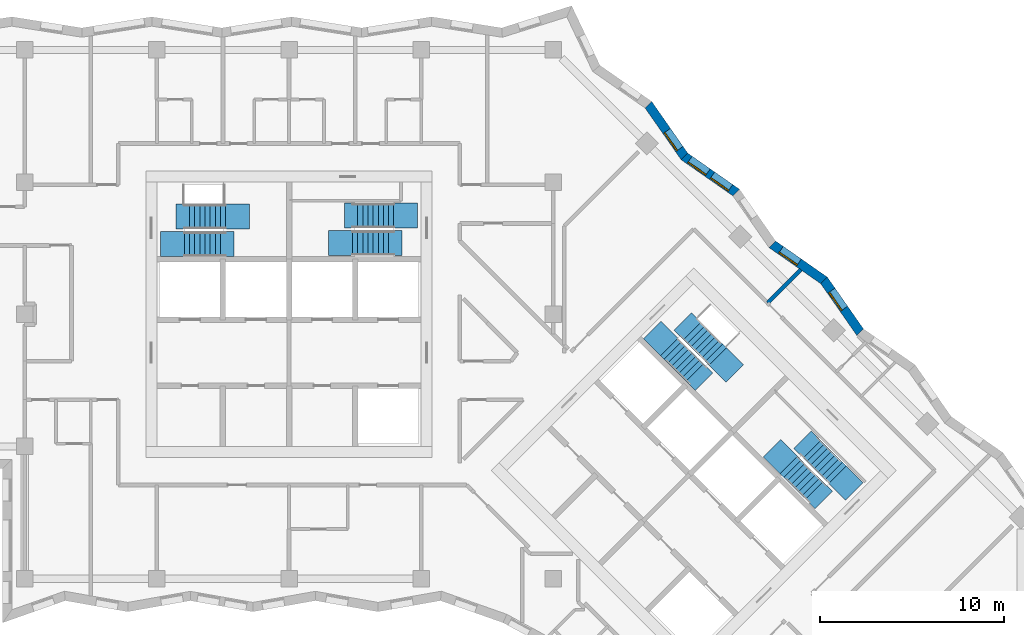
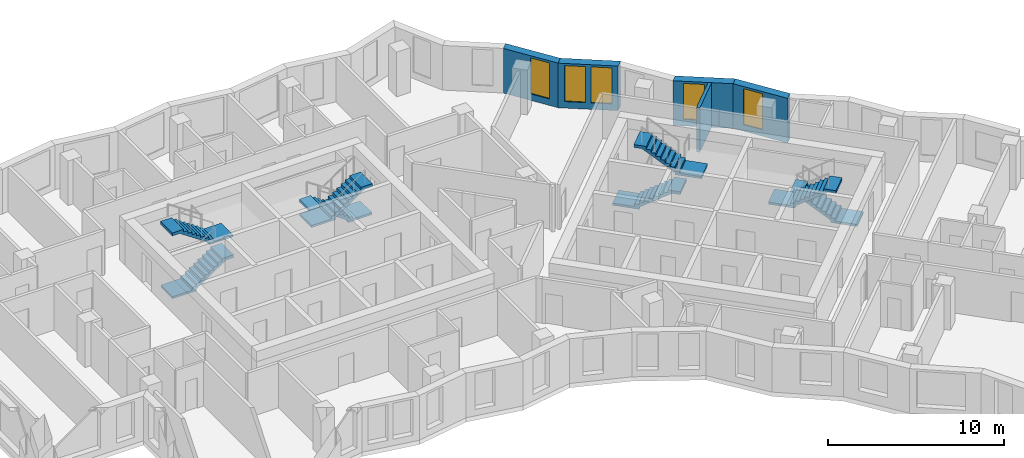
# One storey, part 10 of 12: 8 stair flights, 5 walls, 5 windows, 5 openings, 4 elements without a shape of their own.
"""IFC4 building model written with IfcOpenShell, lengths in metres."""

from ifc_helpers import new_model, si_unit, direction, frame, frame_2d, origin, place, context, subcontext, project, spatial, polyline, rectangle, outline, extrude, material, layer, layer_set, type_object, element, fill, aggregate, save


model = new_model("IFC4")

# Units and contexts
model_context = context("Model", 3, precision=1e-05, world=origin(), true_north=direction((0.0, 1.0)))
body_context = subcontext(model_context, "Body", "Model", "MODEL_VIEW")
ifc_project = project(units=[si_unit("LENGTHUNIT", "METRE"), si_unit("AREAUNIT", "SQUARE_METRE"), si_unit("VOLUMEUNIT", "CUBIC_METRE"), si_unit("PLANEANGLEUNIT", "RADIAN"), si_unit("MASSUNIT", "GRAM", prefix="KILO")], contexts=[model_context])

# Site, building, storey
site_placement = place(None, origin())
site = spatial("IfcSite", under=ifc_project, at=site_placement, CompositionType="ELEMENT")
building_placement = place(site_placement, origin())
building = spatial("IfcBuilding", under=site, at=building_placement, Name="Windrow Commons", CompositionType="ELEMENT")
storey_placement = place(building_placement, frame((0.0, 0.0, 169.4)))
storey = spatial("IfcBuildingStorey", under=building, at=storey_placement, Name="L46", CompositionType="ELEMENT", Elevation=169.4)

# Wall, opening, window
ifc_material_1 = material(Name="Brick masonry, red clay brick", Category="masonry")
ifc_layer_1 = layer(ifc_material_1, 0.5)
ifc_layer_set_1 = layer_set([ifc_layer_1], Name="Brick facade wall 500")
wall_type_1 = type_object("IfcWallType", Name="Brick facade wall 500", PredefinedType="SOLIDWALL", material=ifc_layer_set_1)
wall_1_placement = place(storey_placement, frame((95.9099, 56.6281, 0.0), z_axis=(0.0, 0.0, 1.0), x_axis=(-0.5720591366, 0.8202123775, 0.0)))
wall_1 = element("IfcWall", 1, at=wall_1_placement, inside=storey, type_object=wall_type_1, Name="Brick facade wall L46 12", PredefinedType="SOLIDWALL", context=body_context, shape_type="SweptSolid", body=[
    extrude(outline(polyline([(0.0446, -0.25), (3.4808, -0.25), (3.3917, 0.25), (-0.0446, 0.25), (0.0446, -0.25)])), origin(), (0.0, 0.0, 1.0), 3.1),
])
opening_1_placement = place(wall_1_placement, frame((1.5471, 0.0, 0.45)))
opening_1 = element("IfcOpeningElement", 2, at=opening_1_placement, cuts=wall_1, Name="Opening W7E", PredefinedType="OPENING", context=body_context, shape_type="SweptSolid", body=[
    extrude(rectangle(XDim=1.2, YDim=2.5, at=frame_2d((0.6, 1.25))), frame((0.0, 0.26, 0.0), z_axis=(0.0, -1.0, 0.0), x_axis=(1.0, 0.0, 0.0)), (0.0, 0.0, 1.0), 0.52),
])
ifc_material_2 = material(Name="Clear float glass in anodised aluminium frame", Category="aluminium")
window_type = type_object("IfcWindowType", Name="Window W7 notch 1200x2500", PartitioningType="SINGLE_PANEL", PredefinedType="WINDOW", material=ifc_material_2)
window_1_placement = place(opening_1_placement, origin())
window_1 = element("IfcWindow", 3, at=window_1_placement, inside=storey, type_object=window_type, Name="Window L46 12.1", OverallHeight=2.5, OverallWidth=1.2, PartitioningType="SINGLE_PANEL", PredefinedType="WINDOW", context=body_context, shape_type="SweptSolid", body=[
    extrude(rectangle(XDim=1.2, YDim=2.5, at=frame_2d((0.6, 1.25))), frame((0.0, 0.18, 0.0), z_axis=(0.0, -1.0, 0.0), x_axis=(1.0, 0.0, 0.0)), (0.0, 0.0, 1.0), 0.06),
])
fill(opening_1, window_1)

wall_2_placement = place(storey_placement, frame((93.9442, 59.4465, 0.0), z_axis=(0.0, 0.0, 1.0), x_axis=(-0.8202082464, 0.5720650597, 0.0)))
wall_2 = element("IfcWall", 4, at=wall_2_placement, inside=storey, type_object=wall_type_1, Name="Brick facade wall L46 13", PredefinedType="SOLIDWALL", context=body_context, shape_type="SweptSolid", body=[
    extrude(outline(polyline([(-0.0446, -0.25), (3.3917, -0.25), (3.4808, 0.25), (0.0446, 0.25), (-0.0446, -0.25)])), origin(), (0.0, 0.0, 1.0), 3.1),
])
opening_2_placement = place(wall_2_placement, frame((1.6796, 0.0, 0.45)))
opening_2 = element("IfcOpeningElement", 5, at=opening_2_placement, cuts=wall_2, Name="Opening W7E", PredefinedType="OPENING", context=body_context, shape_type="SweptSolid", body=[
    extrude(rectangle(XDim=1.2, YDim=2.5, at=frame_2d((0.6, 1.25))), frame((0.0, 0.26, 0.0), z_axis=(0.0, -1.0, 0.0), x_axis=(1.0, 0.0, 0.0)), (0.0, 0.0, 1.0), 0.52),
])
window_2_placement = place(opening_2_placement, origin())
window_2 = element("IfcWindow", 6, at=window_2_placement, inside=storey, type_object=window_type, Name="Window L46 13.1", OverallHeight=2.5, OverallWidth=1.2, PartitioningType="SINGLE_PANEL", PredefinedType="WINDOW", context=body_context, shape_type="SweptSolid", body=[
    extrude(rectangle(XDim=1.2, YDim=2.5, at=frame_2d((0.6, 1.25))), frame((0.0, 0.18, 0.0), z_axis=(0.0, -1.0, 0.0), x_axis=(1.0, 0.0, 0.0)), (0.0, 0.0, 1.0), 0.06),
])
fill(opening_2, window_2)

# Wall, openings, windows
wall_3_placement = place(storey_placement, frame((89.16, 64.2308, 0.0), z_axis=(0.0, 0.0, 1.0), x_axis=(-0.8202219009, 0.5720454818, 0.0)))
wall_3 = element("IfcWall", 7, at=wall_3_placement, inside=storey, type_object=wall_type_1, Name="Brick facade wall L46 15", PredefinedType="SOLIDWALL", context=body_context, shape_type="SweptSolid", body=[
    extrude(outline(polyline([(-0.0446, -0.25), (3.3917, -0.25), (3.4808, 0.25), (0.0446, 0.25), (-0.0446, -0.25)])), origin(), (0.0, 0.0, 1.0), 3.1),
])
opening_3_placement = place(wall_3_placement, frame((0.4042, 0.0, 0.45)))
opening_3 = element("IfcOpeningElement", 8, at=opening_3_placement, cuts=wall_3, Name="Opening W7E", PredefinedType="OPENING", context=body_context, shape_type="SweptSolid", body=[
    extrude(rectangle(XDim=1.2, YDim=2.5, at=frame_2d((0.6, 1.25))), frame((0.0, 0.26, 0.0), z_axis=(0.0, -1.0, 0.0), x_axis=(1.0, 0.0, 0.0)), (0.0, 0.0, 1.0), 0.52),
])
opening_4_placement = place(wall_3_placement, frame((1.9001, 0.0, 0.45)))
opening_4 = element("IfcOpeningElement", 9, at=opening_4_placement, cuts=wall_3, Name="Opening W7E", PredefinedType="OPENING", context=body_context, shape_type="SweptSolid", body=[
    extrude(rectangle(XDim=1.2, YDim=2.5, at=frame_2d((0.6, 1.25))), frame((0.0, 0.26, 0.0), z_axis=(0.0, -1.0, 0.0), x_axis=(1.0, 0.0, 0.0)), (0.0, 0.0, 1.0), 0.52),
])
window_3_placement = place(opening_3_placement, origin())
window_3 = element("IfcWindow", 10, at=window_3_placement, inside=storey, type_object=window_type, Name="Window L46 15.1", OverallHeight=2.5, OverallWidth=1.2, PartitioningType="SINGLE_PANEL", PredefinedType="WINDOW", context=body_context, shape_type="SweptSolid", body=[
    extrude(rectangle(XDim=1.2, YDim=2.5, at=frame_2d((0.6, 1.25))), frame((0.0, 0.18, 0.0), z_axis=(0.0, -1.0, 0.0), x_axis=(1.0, 0.0, 0.0)), (0.0, 0.0, 1.0), 0.06),
])
fill(opening_3, window_3)
window_4_placement = place(opening_4_placement, origin())
window_4 = element("IfcWindow", 11, at=window_4_placement, inside=storey, type_object=window_type, Name="Window L46 15.2", OverallHeight=2.5, OverallWidth=1.2, PartitioningType="SINGLE_PANEL", PredefinedType="WINDOW", context=body_context, shape_type="SweptSolid", body=[
    extrude(rectangle(XDim=1.2, YDim=2.5, at=frame_2d((0.6, 1.25))), frame((0.0, 0.18, 0.0), z_axis=(0.0, -1.0, 0.0), x_axis=(1.0, 0.0, 0.0)), (0.0, 0.0, 1.0), 0.06),
])
fill(opening_4, window_4)

# Wall, opening, window
wall_4_placement = place(storey_placement, frame((86.3415, 66.1965, 0.0), z_axis=(0.0, 0.0, 1.0), x_axis=(-0.5720454818, 0.8202219009, 0.0)))
wall_4 = element("IfcWall", 12, at=wall_4_placement, inside=storey, type_object=wall_type_1, Name="Brick facade wall L46 16", PredefinedType="SOLIDWALL", context=body_context, shape_type="SweptSolid", body=[
    extrude(outline(polyline([(0.0446, -0.25), (3.4808, -0.25), (3.3917, 0.25), (-0.0446, 0.25), (0.0446, -0.25)])), origin(), (0.0, 0.0, 1.0), 3.1),
])
opening_5_placement = place(wall_4_placement, frame((0.4922, 0.0, 0.45)))
opening_5 = element("IfcOpeningElement", 13, at=opening_5_placement, cuts=wall_4, Name="Opening W7E", PredefinedType="OPENING", context=body_context, shape_type="SweptSolid", body=[
    extrude(rectangle(XDim=1.2, YDim=2.5, at=frame_2d((0.6, 1.25))), frame((0.0, 0.26, 0.0), z_axis=(0.0, -1.0, 0.0), x_axis=(1.0, 0.0, 0.0)), (0.0, 0.0, 1.0), 0.52),
])
window_5_placement = place(opening_5_placement, origin())
window_5 = element("IfcWindow", 14, at=window_5_placement, inside=storey, type_object=window_type, Name="Window L46 16.1", OverallHeight=2.5, OverallWidth=1.2, PartitioningType="SINGLE_PANEL", PredefinedType="WINDOW", context=body_context, shape_type="SweptSolid", body=[
    extrude(rectangle(XDim=1.2, YDim=2.5, at=frame_2d((0.6, 1.25))), frame((0.0, 0.18, 0.0), z_axis=(0.0, -1.0, 0.0), x_axis=(1.0, 0.0, 0.0)), (0.0, 0.0, 1.0), 0.06),
])
fill(opening_5, window_5)

# Wall
ifc_material_3 = material(Name="Blockwork partition", Category="masonry")
ifc_layer_2 = layer(ifc_material_3, 0.2)
ifc_layer_set_2 = layer_set([ifc_layer_2], Name="IW-PARTY-200")
wall_type_2 = type_object("IfcWallType", Name="IW-PARTY-200", PredefinedType="PARTITIONING", material=ifc_layer_set_2)
wall_5_placement = place(storey_placement, frame((90.8669, 58.2131, 0.0), z_axis=(0.0, 0.0, 1.0), x_axis=(0.7066186165, 0.7075946091, 0.0)))
element("IfcWall", 15, at=wall_5_placement, inside=storey, type_object=wall_type_2, Name="W-L46-W067", PredefinedType="PARTITIONING", context=body_context, shape_type="SweptSolid", body=[
    extrude(rectangle(XDim=2.5615, YDim=0.2, at=frame_2d((1.2808, 0.0))), origin(), (0.0, 0.0, 1.0), 3.1),
])

# Stair, stair flights
ifc_material_4 = material(Name="Concrete C40/50", Category="concrete")
stair_type = type_object("IfcStairType", Name="Core stair", PredefinedType="HALF_TURN_STAIR", material=ifc_material_4)
placement = place(storey_placement, origin())
stair_1 = element("IfcStair", 16, at=placement, inside=storey, type_object=stair_type, Name="L46 Exit stair A1 core A", PredefinedType="HALF_TURN_STAIR")
ifc_material_5 = material(Name="Concrete C40/50", Category="concrete")
stair_flight_type = type_object("IfcStairFlightType", Name="Core stair flight", PredefinedType="STRAIGHT", material=ifc_material_5)
stair_flight_1_placement = place(storey_placement, frame((59.1, 61.425, 0.0), z_axis=(0.0, 0.0, 1.0), x_axis=(1.0, 0.0, 0.0)))
stair_flight_1 = element("IfcStairFlight", 17, at=stair_flight_1_placement, type_object=stair_flight_type, Name="ST-A1 flight 1", NumberOfRisers=9, NumberOfTreads=8, PredefinedType="STRAIGHT", RiserHeight=0.188888889, TreadLength=0.28, context=body_context, shape_type="SweptSolid", body=[
    extrude(outline(polyline([(-1.3, -0.15), (-1.3, 0.0), (0.0, 0.0), (0.0, 0.1889), (0.28, 0.1889), (0.28, 0.3778), (0.56, 0.3778), (0.56, 0.5667), (0.84, 0.5667), (0.84, 0.7556), (1.12, 0.7556), (1.12, 0.9444), (1.4, 0.9444), (1.4, 1.1333), (1.68, 1.1333), (1.68, 1.3222), (1.96, 1.3222), (1.96, 1.5111), (2.24, 1.5111), (2.69, 1.5111), (2.69, 1.3111), (2.24, 1.3111), (2.24, 1.3302), (0.2682, 0.0), (0.2682, -0.15), (-1.3, -0.15)])), frame((0.0, 0.675, 0.0), z_axis=(0.0, -1.0, 0.0), x_axis=(1.0, 0.0, 0.0)), (0.0, 0.0, 1.0), 1.35),
])
stair_flight_2_placement = place(storey_placement, frame((61.34, 62.925, 1.7), z_axis=(0.0, 0.0, 1.0), x_axis=(-1.0, 0.0, 0.0)))
stair_flight_2 = element("IfcStairFlight", 18, at=stair_flight_2_placement, type_object=stair_flight_type, Name="ST-A1 flight 2", NumberOfRisers=9, NumberOfTreads=8, PredefinedType="STRAIGHT", RiserHeight=0.188888889, TreadLength=0.28, context=body_context, shape_type="SweptSolid", body=[
    extrude(outline(polyline([(-1.3, -0.15), (-1.3, 0.0), (0.0, 0.0), (0.0, 0.1889), (0.28, 0.1889), (0.28, 0.3778), (0.56, 0.3778), (0.56, 0.5667), (0.84, 0.5667), (0.84, 0.7556), (1.12, 0.7556), (1.12, 0.9444), (1.4, 0.9444), (1.4, 1.1333), (1.68, 1.1333), (1.68, 1.3222), (1.96, 1.3222), (1.96, 1.5111), (2.24, 1.5111), (2.69, 1.5111), (2.69, 1.3111), (2.24, 1.3111), (2.24, 1.3302), (0.2682, 0.0), (0.2682, -0.15), (-1.3, -0.15)])), frame((0.0, 0.675, 0.0), z_axis=(0.0, -1.0, 0.0), x_axis=(1.0, 0.0, 0.0)), (0.0, 0.0, 1.0), 1.35),
])
aggregate(stair_1, [stair_flight_1, stair_flight_2])

stair_2 = element("IfcStair", 19, at=placement, inside=storey, type_object=stair_type, Name="L46 Exit stair A2 core A", PredefinedType="HALF_TURN_STAIR")
stair_flight_3_placement = place(storey_placement, frame((70.5, 62.98, 0.0), z_axis=(0.0, 0.0, 1.0), x_axis=(-1.0, 0.0, 0.0)))
stair_flight_3 = element("IfcStairFlight", 20, at=stair_flight_3_placement, type_object=stair_flight_type, Name="ST-A2 flight 1", NumberOfRisers=9, NumberOfTreads=8, PredefinedType="STRAIGHT", RiserHeight=0.188888889, TreadLength=0.28, context=body_context, shape_type="SweptSolid", body=[
    extrude(outline(polyline([(-1.3, -0.15), (-1.3, 0.0), (0.0, 0.0), (0.0, 0.1889), (0.28, 0.1889), (0.28, 0.3778), (0.56, 0.3778), (0.56, 0.5667), (0.84, 0.5667), (0.84, 0.7556), (1.12, 0.7556), (1.12, 0.9444), (1.4, 0.9444), (1.4, 1.1333), (1.68, 1.1333), (1.68, 1.3222), (1.96, 1.3222), (1.96, 1.5111), (2.24, 1.5111), (2.69, 1.5111), (2.69, 1.3111), (2.24, 1.3111), (2.24, 1.3302), (0.2682, 0.0), (0.2682, -0.15), (-1.3, -0.15)])), frame((0.0, 0.675, 0.0), z_axis=(0.0, -1.0, 0.0), x_axis=(1.0, 0.0, 0.0)), (0.0, 0.0, 1.0), 1.35),
])
stair_flight_4_placement = place(storey_placement, frame((68.26, 61.48, 1.7), z_axis=(0.0, 0.0, 1.0), x_axis=(1.0, 0.0, 0.0)))
stair_flight_4 = element("IfcStairFlight", 21, at=stair_flight_4_placement, type_object=stair_flight_type, Name="ST-A2 flight 2", NumberOfRisers=9, NumberOfTreads=8, PredefinedType="STRAIGHT", RiserHeight=0.188888889, TreadLength=0.28, context=body_context, shape_type="SweptSolid", body=[
    extrude(outline(polyline([(-1.3, -0.15), (-1.3, 0.0), (0.0, 0.0), (0.0, 0.1889), (0.28, 0.1889), (0.28, 0.3778), (0.56, 0.3778), (0.56, 0.5667), (0.84, 0.5667), (0.84, 0.7556), (1.12, 0.7556), (1.12, 0.9444), (1.4, 0.9444), (1.4, 1.1333), (1.68, 1.1333), (1.68, 1.3222), (1.96, 1.3222), (1.96, 1.5111), (2.24, 1.5111), (2.69, 1.5111), (2.69, 1.3111), (2.24, 1.3111), (2.24, 1.3302), (0.2682, 0.0), (0.2682, -0.15), (-1.3, -0.15)])), frame((0.0, 0.675, 0.0), z_axis=(0.0, -1.0, 0.0), x_axis=(1.0, 0.0, 0.0)), (0.0, 0.0, 1.0), 1.35),
])
aggregate(stair_2, [stair_flight_3, stair_flight_4])

stair_3 = element("IfcStair", 22, at=placement, inside=storey, type_object=stair_type, Name="L46 Exit stair B1 core B", PredefinedType="HALF_TURN_STAIR")
stair_flight_5_placement = place(storey_placement, frame((85.5109, 55.8249, 0.0), z_axis=(0.0, 0.0, 1.0), x_axis=(0.7071067812, -0.7071067812, 0.0)))
stair_flight_5 = element("IfcStairFlight", 23, at=stair_flight_5_placement, type_object=stair_flight_type, Name="ST-B1 flight 1", NumberOfRisers=9, NumberOfTreads=8, PredefinedType="STRAIGHT", RiserHeight=0.188888889, TreadLength=0.28, context=body_context, shape_type="SweptSolid", body=[
    extrude(outline(polyline([(-1.3, -0.15), (-1.3, 0.0), (0.0, 0.0), (0.0, 0.1889), (0.28, 0.1889), (0.28, 0.3778), (0.56, 0.3778), (0.56, 0.5667), (0.84, 0.5667), (0.84, 0.7556), (1.12, 0.7556), (1.12, 0.9444), (1.4, 0.9444), (1.4, 1.1333), (1.68, 1.1333), (1.68, 1.3222), (1.96, 1.3222), (1.96, 1.5111), (2.24, 1.5111), (2.69, 1.5111), (2.69, 1.3111), (2.24, 1.3111), (2.24, 1.3302), (0.2682, 0.0), (0.2682, -0.15), (-1.3, -0.15)])), frame((0.0, 0.675, 0.0), z_axis=(0.0, -1.0, 0.0), x_axis=(1.0, 0.0, 0.0)), (0.0, 0.0, 1.0), 1.35),
])
stair_flight_6_placement = place(storey_placement, frame((88.1555, 55.3017, 1.7), z_axis=(0.0, 0.0, 1.0), x_axis=(-0.7071067812, 0.7071067812, 0.0)))
stair_flight_6 = element("IfcStairFlight", 24, at=stair_flight_6_placement, type_object=stair_flight_type, Name="ST-B1 flight 2", NumberOfRisers=9, NumberOfTreads=8, PredefinedType="STRAIGHT", RiserHeight=0.188888889, TreadLength=0.28, context=body_context, shape_type="SweptSolid", body=[
    extrude(outline(polyline([(-1.3, -0.15), (-1.3, 0.0), (0.0, 0.0), (0.0, 0.1889), (0.28, 0.1889), (0.28, 0.3778), (0.56, 0.3778), (0.56, 0.5667), (0.84, 0.5667), (0.84, 0.7556), (1.12, 0.7556), (1.12, 0.9444), (1.4, 0.9444), (1.4, 1.1333), (1.68, 1.1333), (1.68, 1.3222), (1.96, 1.3222), (1.96, 1.5111), (2.24, 1.5111), (2.69, 1.5111), (2.69, 1.3111), (2.24, 1.3111), (2.24, 1.3302), (0.2682, 0.0), (0.2682, -0.15), (-1.3, -0.15)])), frame((0.0, 0.675, 0.0), z_axis=(0.0, -1.0, 0.0), x_axis=(1.0, 0.0, 0.0)), (0.0, 0.0, 1.0), 1.35),
])
aggregate(stair_3, [stair_flight_5, stair_flight_6])

stair_4 = element("IfcStair", 25, at=placement, inside=storey, type_object=stair_type, Name="L46 Exit stair B2 core B", PredefinedType="HALF_TURN_STAIR")
stair_flight_7_placement = place(storey_placement, frame((94.6715, 48.8635, 0.0), z_axis=(0.0, 0.0, 1.0), x_axis=(-0.7071067812, 0.7071067812, 0.0)))
stair_flight_7 = element("IfcStairFlight", 26, at=stair_flight_7_placement, type_object=stair_flight_type, Name="ST-B2 flight 1", NumberOfRisers=9, NumberOfTreads=8, PredefinedType="STRAIGHT", RiserHeight=0.188888889, TreadLength=0.28, context=body_context, shape_type="SweptSolid", body=[
    extrude(outline(polyline([(-1.3, -0.15), (-1.3, 0.0), (0.0, 0.0), (0.0, 0.1889), (0.28, 0.1889), (0.28, 0.3778), (0.56, 0.3778), (0.56, 0.5667), (0.84, 0.5667), (0.84, 0.7556), (1.12, 0.7556), (1.12, 0.9444), (1.4, 0.9444), (1.4, 1.1333), (1.68, 1.1333), (1.68, 1.3222), (1.96, 1.3222), (1.96, 1.5111), (2.24, 1.5111), (2.69, 1.5111), (2.69, 1.3111), (2.24, 1.3111), (2.24, 1.3302), (0.2682, 0.0), (0.2682, -0.15), (-1.3, -0.15)])), frame((0.0, 0.675, 0.0), z_axis=(0.0, -1.0, 0.0), x_axis=(1.0, 0.0, 0.0)), (0.0, 0.0, 1.0), 1.35),
])
stair_flight_8_placement = place(storey_placement, frame((92.0269, 49.3867, 1.7), z_axis=(0.0, 0.0, 1.0), x_axis=(0.7071067812, -0.7071067812, 0.0)))
stair_flight_8 = element("IfcStairFlight", 27, at=stair_flight_8_placement, type_object=stair_flight_type, Name="ST-B2 flight 2", NumberOfRisers=9, NumberOfTreads=8, PredefinedType="STRAIGHT", RiserHeight=0.188888889, TreadLength=0.28, context=body_context, shape_type="SweptSolid", body=[
    extrude(outline(polyline([(-1.3, -0.15), (-1.3, 0.0), (0.0, 0.0), (0.0, 0.1889), (0.28, 0.1889), (0.28, 0.3778), (0.56, 0.3778), (0.56, 0.5667), (0.84, 0.5667), (0.84, 0.7556), (1.12, 0.7556), (1.12, 0.9444), (1.4, 0.9444), (1.4, 1.1333), (1.68, 1.1333), (1.68, 1.3222), (1.96, 1.3222), (1.96, 1.5111), (2.24, 1.5111), (2.69, 1.5111), (2.69, 1.3111), (2.24, 1.3111), (2.24, 1.3302), (0.2682, 0.0), (0.2682, -0.15), (-1.3, -0.15)])), frame((0.0, 0.675, 0.0), z_axis=(0.0, -1.0, 0.0), x_axis=(1.0, 0.0, 0.0)), (0.0, 0.0, 1.0), 1.35),
])
aggregate(stair_4, [stair_flight_7, stair_flight_8])

save(model, "model.ifc")
